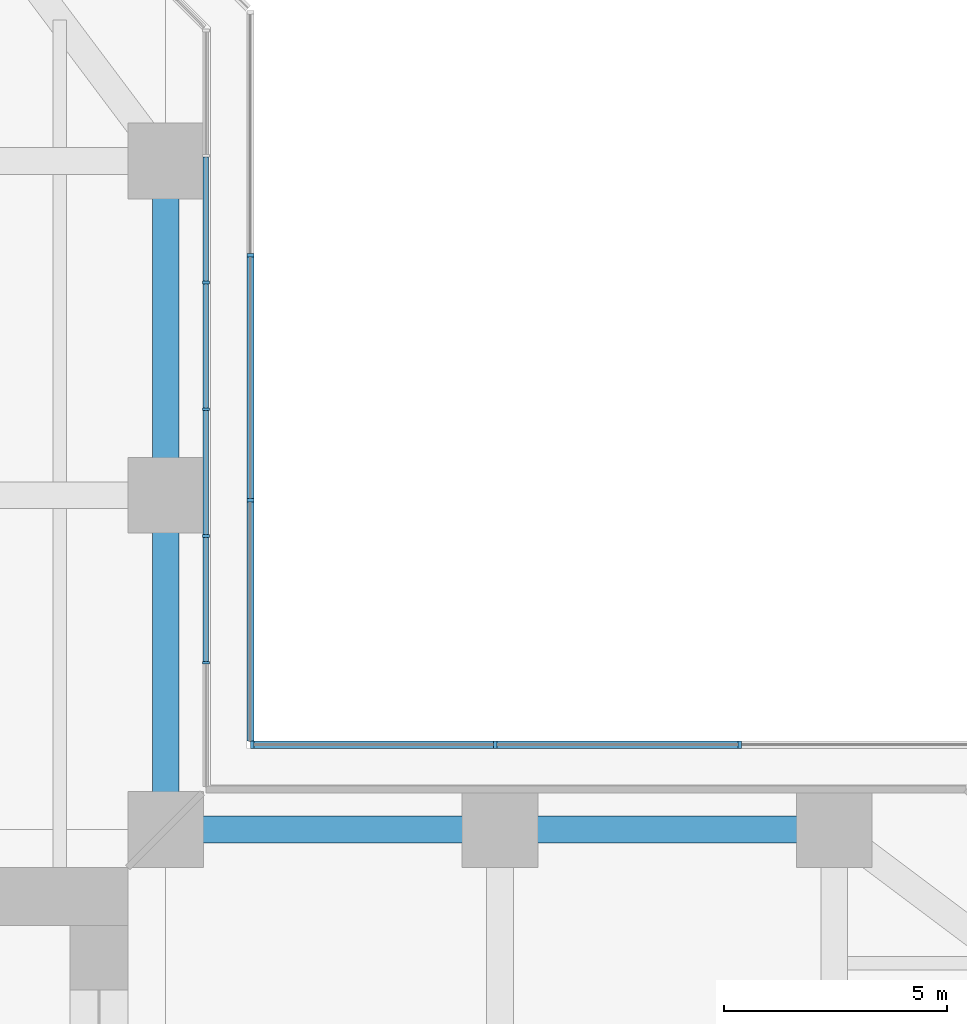
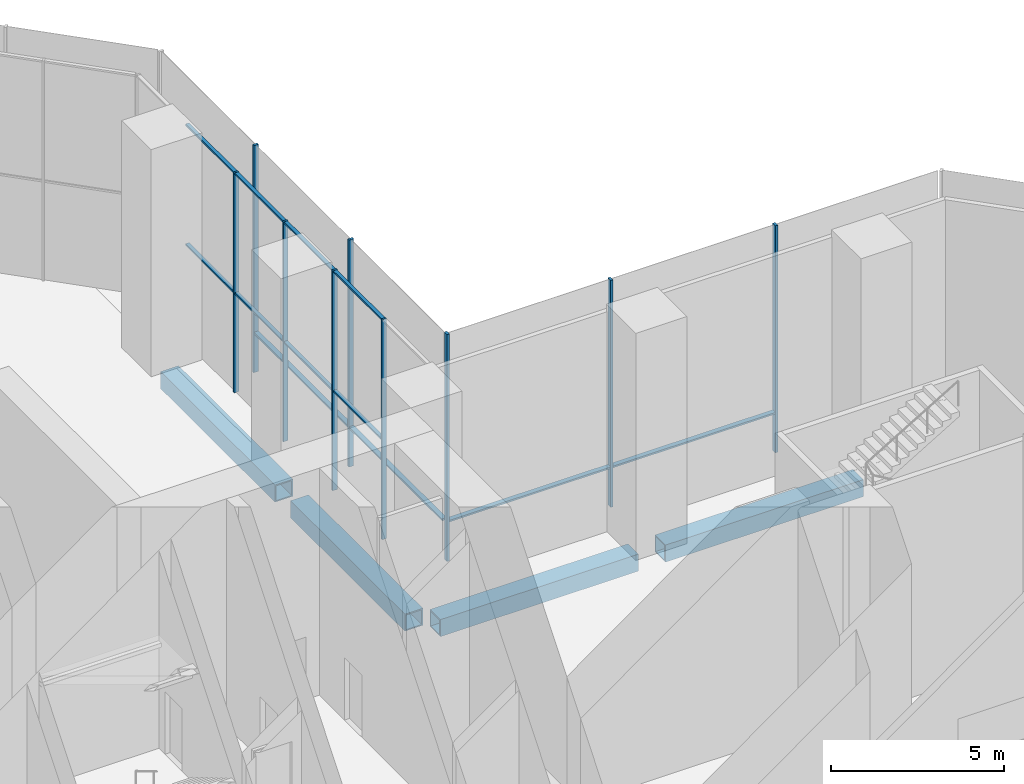
# One storey, part 10 of 25: 21 members, 4 beams, 3 elements without a shape of their own.
"""IFC4 building model written with IfcOpenShell, lengths in metres."""

from ifc_helpers import new_model, si_unit, direction, frame, origin, origin_2d, place, context, subcontext, project, spatial, rectangle, hollow_rectangle, extrude, material, material_profile, profile_set, type_object, element, aggregate, save


model = new_model("IFC4")

# Units and contexts
model_context = context("Model", 3, precision=1e-05, world=origin(), true_north=direction((0.0, 1.0)))
body_context = subcontext(model_context, "Body", "Model", "MODEL_VIEW")
ifc_project = project(units=[si_unit("LENGTHUNIT", "METRE"), si_unit("AREAUNIT", "SQUARE_METRE"), si_unit("VOLUMEUNIT", "CUBIC_METRE"), si_unit("PLANEANGLEUNIT", "RADIAN"), si_unit("MASSUNIT", "GRAM", prefix="KILO")], contexts=[model_context])

# Site, building, storey
site_placement = place(None, origin())
site = spatial("IfcSite", under=ifc_project, at=site_placement, CompositionType="ELEMENT")
building_placement = place(site_placement, origin())
building = spatial("IfcBuilding", under=site, at=building_placement, Name="Mizan Broadcast Tower", CompositionType="ELEMENT")
storey_placement = place(building_placement, frame((0.0, 0.0, 7.0)))
storey = spatial("IfcBuildingStorey", under=building, at=storey_placement, Name="L01", CompositionType="ELEMENT", Elevation=7.0)

# Beams
ifc_material_1 = material(Name="Steel S355", Category="steel")
ifc_material_profile_1 = material_profile(ifc_material_1, hollow_rectangle(XDim=0.60009765625, YDim=0.60009765625, WallThickness=0.0400390625, at=origin_2d()), Name="BOX 600x600x40")
ifc_profile_set_1 = profile_set([ifc_material_profile_1], Name="Steel S355")
beam_type = type_object("IfcBeamType", Name="EDGE BEAM BOX 600x600x40", PredefinedType="SPANDREL", material=ifc_profile_set_1)
for number, where, z_axis, x_axis, name in (
    (1, (12.449951171875, 12.0, -0.550048828125), (1.0, 0.0, 0.0), (0.0, 1.0, 0.0), "Edge beam BOX 600x600x40 L01 east arm"),
    (2, (19.949951171875, 12.0, -0.550048828125), (1.0, 0.0, 0.0), (0.0, 1.0, 0.0), "Edge beam BOX 600x600x40 L01 east arm"),
    (3, (12.0, 12.449951171875, -0.550048828125), (0.0, 1.0, 0.0), (-1.0, 0.0, 0.0), "Edge beam BOX 600x600x40 L01 north arm"),
    (4, (12.0, 19.949951171875, -0.550048828125), (0.0, 1.0, 0.0), (-1.0, 0.0, 0.0), "Edge beam BOX 600x600x40 L01 north arm"),
):
    element("IfcBeam", number, at=place(storey_placement, frame(where, z_axis=z_axis, x_axis=x_axis)), inside=storey, type_object=beam_type, Name=name, PredefinedType="SPANDREL", context=body_context, shape_type="SweptSolid", body=[
        extrude(hollow_rectangle(XDim=0.60009765625, YDim=0.60009765625, WallThickness=0.0400390625, at=origin_2d()), origin(), (0.0, 0.0, 1.0), 6.60009765625),
    ])

# Curtain wall, members
ifc_material_2 = material(Name="Aluminium framed glazing", Category="aluminium")
curtain_wall_type_1 = type_object("IfcCurtainWallType", Name="PODIUM CURTAIN WALL", PredefinedType="USERDEFINED", material=ifc_material_2)
curtain_wall_1_placement = place(storey_placement, origin())
curtain_wall_1 = element("IfcCurtainWall", 5, at=curtain_wall_1_placement, inside=storey, type_object=curtain_wall_type_1, Name="Podium curtain wall L01 N side", ObjectType="PODIUM CURTAIN WALL", PredefinedType="USERDEFINED")
ifc_material_3 = material(Name="Aluminium, pale anodised", Category="aluminium")
ifc_material_profile_2 = material_profile(ifc_material_3, rectangle(XDim=0.159912109375, YDim=0.06005859375, at=origin_2d()), Name="MULLION 160x60")
ifc_profile_set_2 = profile_set([ifc_material_profile_2], Name="Aluminium, pale anodised")
member_type_1 = type_object("IfcMemberType", Name="INNER SKIN MULLION 60x160", PredefinedType="MULLION", material=ifc_profile_set_2)
member_1_placement = place(storey_placement, frame((12.89990234375, 15.7431640625, 0.0), z_axis=(0.0, 0.0, 1.0), x_axis=(-1.0, 0.0, 0.0)))
member_1 = element("IfcMember", 6, at=member_1_placement, type_object=member_type_1, Name="Podium curtain wall L01 N side mullion 2", PredefinedType="MULLION", context=body_context, shape_type="SweptSolid", body=[
    extrude(rectangle(XDim=0.159912109375, YDim=0.06005859375, at=origin_2d()), origin(), (0.0, 0.0, 1.0), 7.75),
])
member_2_placement = place(storey_placement, frame((12.89990234375, 18.586181640625, 0.0), z_axis=(0.0, 0.0, 1.0), x_axis=(-1.0, 0.0, 0.0)))
member_2 = element("IfcMember", 7, at=member_2_placement, type_object=member_type_1, Name="Podium curtain wall L01 N side mullion 3", PredefinedType="MULLION", context=body_context, shape_type="SweptSolid", body=[
    extrude(rectangle(XDim=0.159912109375, YDim=0.06005859375, at=origin_2d()), origin(), (0.0, 0.0, 1.0), 7.75),
])
member_3_placement = place(storey_placement, frame((12.89990234375, 21.42919921875, 0.0), z_axis=(0.0, 0.0, 1.0), x_axis=(-1.0, 0.0, 0.0)))
member_3 = element("IfcMember", 8, at=member_3_placement, type_object=member_type_1, Name="Podium curtain wall L01 N side mullion 4", PredefinedType="MULLION", context=body_context, shape_type="SweptSolid", body=[
    extrude(rectangle(XDim=0.159912109375, YDim=0.06005859375, at=origin_2d()), origin(), (0.0, 0.0, 1.0), 7.75),
])
member_4_placement = place(storey_placement, frame((12.89990234375, 24.2724609375, 0.0), z_axis=(0.0, 0.0, 1.0), x_axis=(-1.0, 0.0, 0.0)))
member_4 = element("IfcMember", 9, at=member_4_placement, type_object=member_type_1, Name="Podium curtain wall L01 N side mullion 5", PredefinedType="MULLION", context=body_context, shape_type="SweptSolid", body=[
    extrude(rectangle(XDim=0.159912109375, YDim=0.06005859375, at=origin_2d()), origin(), (0.0, 0.0, 1.0), 7.75),
])
ifc_material_4 = material(Name="Aluminium, pale anodised", Category="aluminium")
ifc_material_profile_3 = material_profile(ifc_material_4, rectangle(XDim=0.1201171875, YDim=0.06005859375, at=origin_2d()), Name="TRANSOM 120x60")
ifc_profile_set_3 = profile_set([ifc_material_profile_3], Name="Aluminium, pale anodised")
member_type_2 = type_object("IfcMemberType", Name="INNER SKIN TRANSOM 60x120", PredefinedType="USERDEFINED", material=ifc_profile_set_3)
member_5_placement = place(storey_placement, frame((12.89990234375, 15.773193359375, 3.5), z_axis=(0.0, 1.0, 0.0), x_axis=(-1.0, 0.0, 0.0)))
member_5 = element("IfcMember", 10, at=member_5_placement, type_object=member_type_2, Name="Podium curtain wall L01 N side transom 2.1", ObjectType="TRANSOM", PredefinedType="USERDEFINED", context=body_context, shape_type="SweptSolid", body=[
    extrude(rectangle(XDim=0.1201171875, YDim=0.06005859375, at=origin_2d()), origin(), (0.0, 0.0, 1.0), 2.782958984375),
])
member_6_placement = place(storey_placement, frame((12.89990234375, 15.773193359375, 7.719970703125), z_axis=(0.0, 1.0, 0.0), x_axis=(-1.0, 0.0, 0.0)))
member_6 = element("IfcMember", 11, at=member_6_placement, type_object=member_type_2, Name="Podium curtain wall L01 N side transom 2.2", ObjectType="TRANSOM", PredefinedType="USERDEFINED", context=body_context, shape_type="SweptSolid", body=[
    extrude(rectangle(XDim=0.1201171875, YDim=0.06005859375, at=origin_2d()), origin(), (0.0, 0.0, 1.0), 2.782958984375),
])
member_7_placement = place(storey_placement, frame((12.89990234375, 18.6162109375, 3.5), z_axis=(0.0, 1.0, 0.0), x_axis=(-1.0, 0.0, 0.0)))
member_7 = element("IfcMember", 12, at=member_7_placement, type_object=member_type_2, Name="Podium curtain wall L01 N side transom 3.1", ObjectType="TRANSOM", PredefinedType="USERDEFINED", context=body_context, shape_type="SweptSolid", body=[
    extrude(rectangle(XDim=0.1201171875, YDim=0.06005859375, at=origin_2d()), origin(), (0.0, 0.0, 1.0), 2.782958984375),
])
member_8_placement = place(storey_placement, frame((12.89990234375, 18.6162109375, 7.719970703125), z_axis=(0.0, 1.0, 0.0), x_axis=(-1.0, 0.0, 0.0)))
member_8 = element("IfcMember", 13, at=member_8_placement, type_object=member_type_2, Name="Podium curtain wall L01 N side transom 3.2", ObjectType="TRANSOM", PredefinedType="USERDEFINED", context=body_context, shape_type="SweptSolid", body=[
    extrude(rectangle(XDim=0.1201171875, YDim=0.06005859375, at=origin_2d()), origin(), (0.0, 0.0, 1.0), 2.782958984375),
])
member_9_placement = place(storey_placement, frame((12.89990234375, 21.459228515625, 3.5), z_axis=(0.0, 1.0, 0.0), x_axis=(-1.0, 0.0, 0.0)))
member_9 = element("IfcMember", 14, at=member_9_placement, type_object=member_type_2, Name="Podium curtain wall L01 N side transom 4.1", ObjectType="TRANSOM", PredefinedType="USERDEFINED", context=body_context, shape_type="SweptSolid", body=[
    extrude(rectangle(XDim=0.1201171875, YDim=0.06005859375, at=origin_2d()), origin(), (0.0, 0.0, 1.0), 2.783203125),
])
member_10_placement = place(storey_placement, frame((12.89990234375, 21.459228515625, 7.719970703125), z_axis=(0.0, 1.0, 0.0), x_axis=(-1.0, 0.0, 0.0)))
member_10 = element("IfcMember", 15, at=member_10_placement, type_object=member_type_2, Name="Podium curtain wall L01 N side transom 4.2", ObjectType="TRANSOM", PredefinedType="USERDEFINED", context=body_context, shape_type="SweptSolid", body=[
    extrude(rectangle(XDim=0.1201171875, YDim=0.06005859375, at=origin_2d()), origin(), (0.0, 0.0, 1.0), 2.783203125),
])
member_11_placement = place(storey_placement, frame((12.89990234375, 24.302490234375, 3.5), z_axis=(0.0, 1.0, 0.0), x_axis=(-1.0, 0.0, 0.0)))
member_11 = element("IfcMember", 16, at=member_11_placement, type_object=member_type_2, Name="Podium curtain wall L01 N side transom 5.1", ObjectType="TRANSOM", PredefinedType="USERDEFINED", context=body_context, shape_type="SweptSolid", body=[
    extrude(rectangle(XDim=0.1201171875, YDim=0.06005859375, at=origin_2d()), origin(), (0.0, 0.0, 1.0), 2.782958984375),
])
member_12_placement = place(storey_placement, frame((12.89990234375, 24.302490234375, 7.719970703125), z_axis=(0.0, 1.0, 0.0), x_axis=(-1.0, 0.0, 0.0)))
member_12 = element("IfcMember", 17, at=member_12_placement, type_object=member_type_2, Name="Podium curtain wall L01 N side transom 5.2", ObjectType="TRANSOM", PredefinedType="USERDEFINED", context=body_context, shape_type="SweptSolid", body=[
    extrude(rectangle(XDim=0.1201171875, YDim=0.06005859375, at=origin_2d()), origin(), (0.0, 0.0, 1.0), 2.782958984375),
])
aggregate(curtain_wall_1, [member_1, member_2, member_3, member_4, member_5, member_6, member_7, member_8, member_9, member_10, member_11, member_12])

ifc_material_5 = material(Name="Aluminium framed glazing", Category="aluminium")
curtain_wall_type_2 = type_object("IfcCurtainWallType", Name="OUTER SKIN", PredefinedType="USERDEFINED", material=ifc_material_5)
curtain_wall_2_placement = place(storey_placement, origin())
curtain_wall_2 = element("IfcCurtainWall", 18, at=curtain_wall_2_placement, inside=storey, type_object=curtain_wall_type_2, Name="Outer skin L01 E side", ObjectType="OUTER SKIN", PredefinedType="USERDEFINED")
ifc_material_6 = material(Name="Aluminium, pale anodised", Category="aluminium")
ifc_material_profile_4 = material_profile(ifc_material_6, rectangle(XDim=0.159912109375, YDim=0.080078125, at=origin_2d()), Name="MULLION 160x80")
ifc_profile_set_4 = profile_set([ifc_material_profile_4], Name="Aluminium, pale anodised")
member_type_3 = type_object("IfcMemberType", Name="OUTER SKIN MULLION 80x160", PredefinedType="MULLION", material=ifc_profile_set_4)
member_13_placement = place(storey_placement, frame((24.8818359375, 13.89990234375, 0.0), z_axis=(0.0, 0.0, 1.0), x_axis=(0.0, -1.0, 0.0)))
member_13 = element("IfcMember", 19, at=member_13_placement, type_object=member_type_3, Name="Outer skin L01 E side mullion 2", PredefinedType="MULLION", context=body_context, shape_type="SweptSolid", body=[
    extrude(rectangle(XDim=0.159912109375, YDim=0.080078125, at=origin_2d()), origin(), (0.0, 0.0, 1.0), 8.0),
])
member_14_placement = place(storey_placement, frame((19.390869140625, 13.89990234375, 0.0), z_axis=(0.0, 0.0, 1.0), x_axis=(0.0, -1.0, 0.0)))
member_14 = element("IfcMember", 20, at=member_14_placement, type_object=member_type_3, Name="Outer skin L01 E side mullion 3", PredefinedType="MULLION", context=body_context, shape_type="SweptSolid", body=[
    extrude(rectangle(XDim=0.159912109375, YDim=0.080078125, at=origin_2d()), origin(), (0.0, 0.0, 1.0), 8.0),
])
member_15_placement = place(storey_placement, frame((13.93994140625, 13.89990234375, 0.0), z_axis=(0.0, 0.0, 1.0), x_axis=(0.0, -1.0, 0.0)))
member_15 = element("IfcMember", 21, at=member_15_placement, type_object=member_type_3, Name="Outer skin L01 E side mullion 4", PredefinedType="MULLION", context=body_context, shape_type="SweptSolid", body=[
    extrude(rectangle(XDim=0.159912109375, YDim=0.080078125, at=origin_2d()), origin(), (0.0, 0.0, 1.0), 8.0),
])

curtain_wall_3_placement = place(storey_placement, origin())
curtain_wall_3 = element("IfcCurtainWall", 22, at=curtain_wall_3_placement, inside=storey, type_object=curtain_wall_type_2, Name="Outer skin L01 N side", ObjectType="OUTER SKIN", PredefinedType="USERDEFINED")
member_16_placement = place(storey_placement, frame((13.89990234375, 19.390869140625, 0.0), z_axis=(0.0, 0.0, 1.0), x_axis=(-1.0, 0.0, 0.0)))
member_16 = element("IfcMember", 23, at=member_16_placement, type_object=member_type_3, Name="Outer skin L01 N side mullion 2", PredefinedType="MULLION", context=body_context, shape_type="SweptSolid", body=[
    extrude(rectangle(XDim=0.159912109375, YDim=0.080078125, at=origin_2d()), origin(), (0.0, 0.0, 1.0), 8.0),
])
member_17_placement = place(storey_placement, frame((13.89990234375, 24.8818359375, 0.0), z_axis=(0.0, 0.0, 1.0), x_axis=(-1.0, 0.0, 0.0)))
member_17 = element("IfcMember", 24, at=member_17_placement, type_object=member_type_3, Name="Outer skin L01 N side mullion 3", PredefinedType="MULLION", context=body_context, shape_type="SweptSolid", body=[
    extrude(rectangle(XDim=0.159912109375, YDim=0.080078125, at=origin_2d()), origin(), (0.0, 0.0, 1.0), 8.0),
])

# Member
ifc_material_7 = material(Name="Aluminium, pale anodised", Category="aluminium")
ifc_material_profile_5 = material_profile(ifc_material_7, rectangle(XDim=0.159912109375, YDim=0.06005859375, at=origin_2d()), Name="TRANSOM 160x60")
ifc_profile_set_5 = profile_set([ifc_material_profile_5], Name="Aluminium, pale anodised")
member_type_4 = type_object("IfcMemberType", Name="OUTER SKIN TRANSOM 60x160", PredefinedType="USERDEFINED", material=ifc_profile_set_5)
member_18_placement = place(storey_placement, frame((24.841796875, 13.89990234375, 1.39990234375), z_axis=(-1.0, 0.0, 0.0), x_axis=(0.0, -1.0, 0.0)))
member_18 = element("IfcMember", 25, at=member_18_placement, type_object=member_type_4, Name="Outer skin L01 E side transom 2.1", ObjectType="TRANSOM", PredefinedType="USERDEFINED", context=body_context, shape_type="SweptSolid", body=[
    extrude(rectangle(XDim=0.159912109375, YDim=0.06005859375, at=origin_2d()), origin(), (0.0, 0.0, 1.0), 5.410888671875),
])

member_19_placement = place(storey_placement, frame((19.350830078125, 13.89990234375, 1.39990234375), z_axis=(-1.0, 0.0, 0.0), x_axis=(0.0, -1.0, 0.0)))
member_19 = element("IfcMember", 26, at=member_19_placement, type_object=member_type_4, Name="Outer skin L01 E side transom 3.1", ObjectType="TRANSOM", PredefinedType="USERDEFINED", context=body_context, shape_type="SweptSolid", body=[
    extrude(rectangle(XDim=0.159912109375, YDim=0.06005859375, at=origin_2d()), origin(), (0.0, 0.0, 1.0), 5.370849609375),
])

aggregate(curtain_wall_2, [member_13, member_14, member_15, member_18, member_19])

member_20_placement = place(storey_placement, frame((13.89990234375, 13.97998046875, 1.39990234375), z_axis=(0.0, 1.0, 0.0), x_axis=(-1.0, 0.0, 0.0)))
member_20 = element("IfcMember", 27, at=member_20_placement, type_object=member_type_4, Name="Outer skin L01 N side transom 1.1", ObjectType="TRANSOM", PredefinedType="USERDEFINED", context=body_context, shape_type="SweptSolid", body=[
    extrude(rectangle(XDim=0.159912109375, YDim=0.06005859375, at=origin_2d()), origin(), (0.0, 0.0, 1.0), 5.370849609375),
])

member_21_placement = place(storey_placement, frame((13.89990234375, 19.430908203125, 1.39990234375), z_axis=(0.0, 1.0, 0.0), x_axis=(-1.0, 0.0, 0.0)))
member_21 = element("IfcMember", 28, at=member_21_placement, type_object=member_type_4, Name="Outer skin L01 N side transom 2.1", ObjectType="TRANSOM", PredefinedType="USERDEFINED", context=body_context, shape_type="SweptSolid", body=[
    extrude(rectangle(XDim=0.159912109375, YDim=0.06005859375, at=origin_2d()), origin(), (0.0, 0.0, 1.0), 5.410888671875),
])

aggregate(curtain_wall_3, [member_16, member_17, member_20, member_21])

save(model, "model.ifc")
